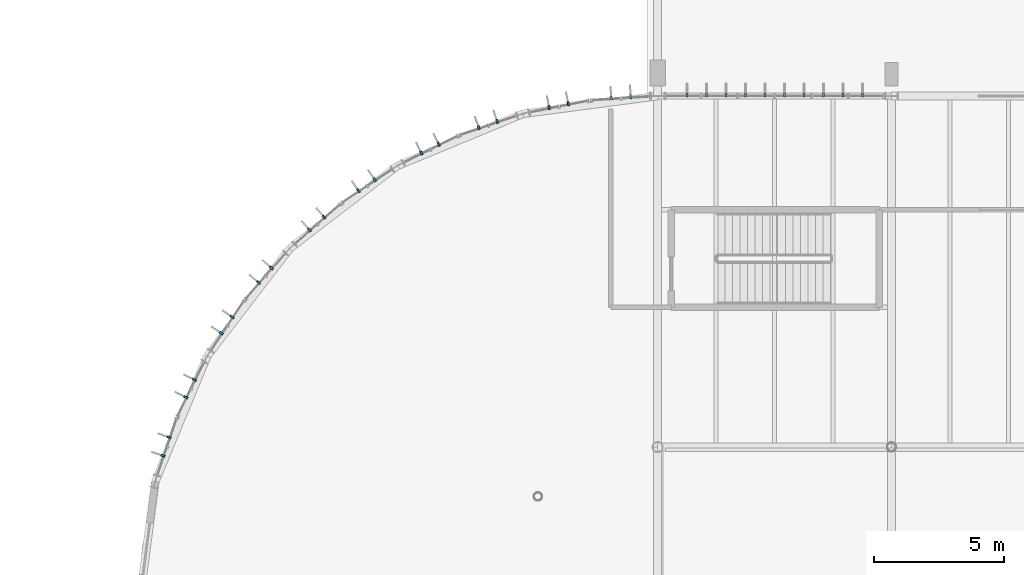
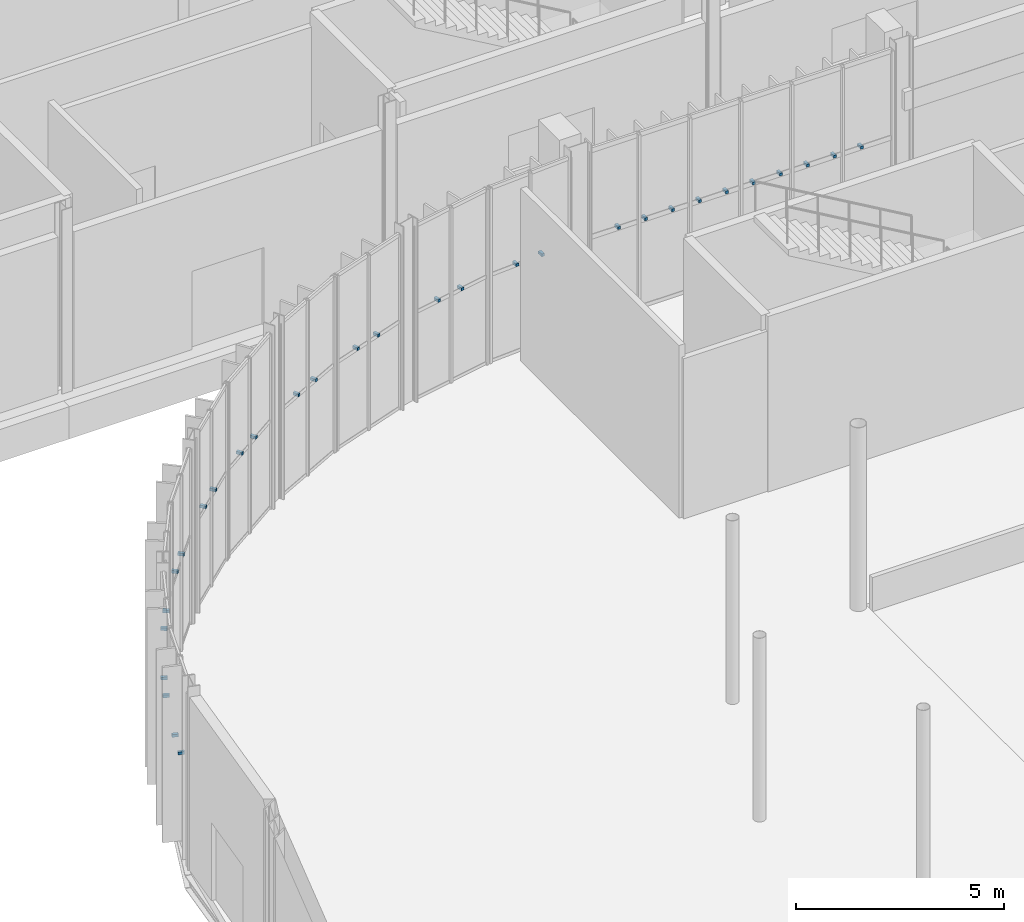
# One storey, part 137 of 158: 30 discrete accessories.
"""IFC4 building model written with IfcOpenShell, lengths in metres."""

from ifc_helpers import new_model, si_unit, derived_unit, direction, frame, origin, origin_2d, place, context, subcontext, project, spatial, rectangle, extrude, material, type_object, element, save


model = new_model("IFC4")

# Units and contexts
model_context = context("Model", 3, precision=1e-05, world=origin(), true_north=direction((0.0, 1.0)))
body_context = subcontext(model_context, "Body", "Model", "MODEL_VIEW")
ifc_project = project(units=[si_unit("LENGTHUNIT", "METRE"), si_unit("AREAUNIT", "SQUARE_METRE"), si_unit("VOLUMEUNIT", "CUBIC_METRE"), si_unit("PLANEANGLEUNIT", "RADIAN"), si_unit("MASSUNIT", "GRAM", prefix="KILO"), si_unit("THERMODYNAMICTEMPERATUREUNIT", "KELVIN"), si_unit("TIMEUNIT", "SECOND"), derived_unit("THERMALTRANSMITTANCEUNIT", [(si_unit("MASSUNIT", "GRAM", prefix="KILO"), 1), (si_unit("THERMODYNAMICTEMPERATUREUNIT", "KELVIN"), -1), (si_unit("TIMEUNIT", "SECOND"), -3)])], contexts=[model_context])

# Site, building, storey
site_placement = place(None, origin())
site = spatial("IfcSite", under=ifc_project, at=site_placement, CompositionType="ELEMENT")
building_placement = place(site_placement, origin())
building = spatial("IfcBuilding", under=site, at=building_placement, Name="Cambertide Market Hall", CompositionType="ELEMENT")
storey_placement = place(building_placement, origin())
storey = spatial("IfcBuildingStorey", under=building, at=storey_placement, Name="L01", CompositionType="ELEMENT", Elevation=0.0)

# Discrete accessories
ifc_material = material(Name="Stainless Steel Grade 316", Category="metal")
discrete_accessory_type = type_object("IfcDiscreteAccessoryType", Name="Stainless Fin Outrigger Tie Bracket", PredefinedType="BRACKET", material=ifc_material)
for number, where, z_axis, x_axis, name in (
    (1, (43.125, 92.0400390625, 2.5400390625), (0.0, 0.0, 1.0), (1.0, 0.0, 0.0), "CW-V1N-L01-1 Fin Tie Bracket 1"),
    (2, (43.875, 92.0400390625, 2.5400390625), (0.0, 0.0, 1.0), (1.0, 0.0, 0.0), "CW-V1N-L01-1 Fin Tie Bracket 2"),
    (3, (44.625, 92.0400390625, 2.5400390625), (0.0, 0.0, 1.0), (1.0, 0.0, 0.0), "CW-V1N-L01-1 Fin Tie Bracket 3"),
    (4, (45.375, 92.0400390625, 2.5400390625), (0.0, 0.0, 1.0), (1.0, 0.0, 0.0), "CW-V1N-L01-1 Fin Tie Bracket 4"),
    (5, (46.125, 92.0400390625, 2.5400390625), (0.0, 0.0, 1.0), (1.0, 0.0, 0.0), "CW-V1N-L01-1 Fin Tie Bracket 5"),
    (6, (46.875, 92.0400390625, 2.5400390625), (0.0, 0.0, 1.0), (1.0, 0.0, 0.0), "CW-V1N-L01-1 Fin Tie Bracket 6"),
    (7, (47.625, 92.0400390625, 2.5400390625), (0.0, 0.0, 1.0), (1.0, 0.0, 0.0), "CW-V1N-L01-1 Fin Tie Bracket 7"),
    (8, (48.375, 92.0400390625, 2.5400390625), (0.0, 0.0, 1.0), (1.0, 0.0, 0.0), "CW-V1N-L01-1 Fin Tie Bracket 8"),
    (9, (49.125, 92.0400390625, 2.5400390625), (0.0, 0.0, 1.0), (1.0, 0.0, 0.0), "CW-V1N-L01-1 Fin Tie Bracket 9"),
    (10, (49.875, 92.0400390625, 2.5400390625), (0.0, 0.0, 1.0), (1.0, 0.0, 0.0), "CW-V1N-L01-1 Fin Tie Bracket 10"),
    (11, (40.218017578125, 91.92333984375, 2.5400390625), (0.0, 0.0, 1.0), (0.997858917819, 0.065403211921, 0.0), "CW-V1AW-L01-01 Fin Tie Bracket 1"),
    (12, (40.966552734375, 91.972412109375, 2.5400390625), (0.0, 0.0, 1.0), (0.997858917819, 0.065403211921, 0.0), "CW-V1AW-L01-01 Fin Tie Bracket 2"),
    (13, (37.8291015625, 91.559326171875, 2.5400390625), (0.0, 0.0, 1.0), (0.980785330885, 0.195090068226, 0.0), "CW-V1AW-L01-02 Fin Tie Bracket 1"),
    (14, (38.564697265625, 91.70556640625, 2.5400390625), (0.0, 0.0, 1.0), (0.980785330885, 0.195090068226, 0.0), "CW-V1AW-L01-02 Fin Tie Bracket 2"),
    (15, (35.122314453125, 90.783203125, 2.5400390625), (0.0, 0.0, 1.0), (0.94693012508, 0.32143947831, 0.0), "CW-V1AW-L01-03 Fin Tie Bracket 1"),
    (16, (35.83251953125, 91.0244140625, 2.5400390625), (0.0, 0.0, 1.0), (0.94693012508, 0.32143947831, 0.0), "CW-V1AW-L01-03 Fin Tie Bracket 2"),
    (17, (32.908935546875, 89.813232421875, 2.5400390625), (0.0, 0.0, 1.0), (0.896872650645, 0.442288874522, 0.0), "CW-V1AW-L01-04 Fin Tie Bracket 1"),
    (18, (33.58154296875, 90.14501953125, 2.5400390625), (0.0, 0.0, 1.0), (0.896872650645, 0.442288874522, 0.0), "CW-V1AW-L01-04 Fin Tie Bracket 2"),
    (19, (30.4951171875, 88.363037109375, 2.5400390625), (0.0, 0.0, 1.0), (0.831469709481, 0.555570087582, 0.0), "CW-V1AW-L01-05 Fin Tie Bracket 1"),
    (20, (31.118896484375, 88.77978515625, 2.5400390625), (0.0, 0.0, 1.0), (0.831469709481, 0.555570087582, 0.0), "CW-V1AW-L01-05 Fin Tie Bracket 2"),
    (21, (28.608154296875, 86.853271484375, 2.5400390625), (0.0, 0.0, 1.0), (0.751839834741, 0.659345784014, 0.0), "CW-V1AW-L01-06 Fin Tie Bracket 1"),
    (22, (29.172119140625, 87.347900390625, 2.5400390625), (0.0, 0.0, 1.0), (0.751839834741, 0.659345784014, 0.0), "CW-V1AW-L01-06 Fin Tie Bracket 2"),
    (23, (26.652099609375, 84.827880859375, 2.5400390625), (0.0, 0.0, 1.0), (0.659345784014, 0.751839834741, 0.0), "CW-V1AW-L01-07 Fin Tie Bracket 1"),
    (24, (27.146728515625, 85.391845703125, 2.5400390625), (0.0, 0.0, 1.0), (0.659345784014, 0.751839834741, 0.0), "CW-V1AW-L01-07 Fin Tie Bracket 2"),
    (25, (25.22021484375, 82.881103515625, 2.5400390625), (0.0, 0.0, 1.0), (0.555570087582, 0.831469709481, 0.0), "CW-V1AW-L01-08 Fin Tie Bracket 1"),
    (26, (25.636962890625, 83.5048828125, 2.5400390625), (0.0, 0.0, 1.0), (0.555570087582, 0.831469709481, 0.0), "CW-V1AW-L01-08 Fin Tie Bracket 2"),
    (27, (23.85498046875, 80.41845703125, 2.5400390625), (0.0, 0.0, 1.0), (0.442288874522, 0.896872650645, 0.0), "CW-V1AW-L01-09 Fin Tie Bracket 1"),
    (28, (24.186767578125, 81.091064453125, 2.5400390625), (0.0, 0.0, 1.0), (0.442288874522, 0.896872650645, 0.0), "CW-V1AW-L01-09 Fin Tie Bracket 2"),
    (29, (22.9755859375, 78.16748046875, 2.5400390625), (0.0, 0.0, 1.0), (0.32143947831, 0.94693012508, 0.0), "CW-V1AW-L01-10 Fin Tie Bracket 1"),
    (30, (23.216796875, 78.877685546875, 2.5400390625), (0.0, 0.0, 1.0), (0.32143947831, 0.94693012508, 0.0), "CW-V1AW-L01-10 Fin Tie Bracket 2"),
):
    element("IfcDiscreteAccessory", number, at=place(storey_placement, frame(where, z_axis=z_axis, x_axis=x_axis)), inside=storey, type_object=discrete_accessory_type, Name=name, PredefinedType="BRACKET", context=body_context, shape_type="SweptSolid", body=[
        extrude(rectangle(XDim=0.080078125, YDim=0.159912109375, at=origin_2d()), origin(), (0.0, 0.0, 1.0), 0.080078125),
    ])

save(model, "model.ifc")
